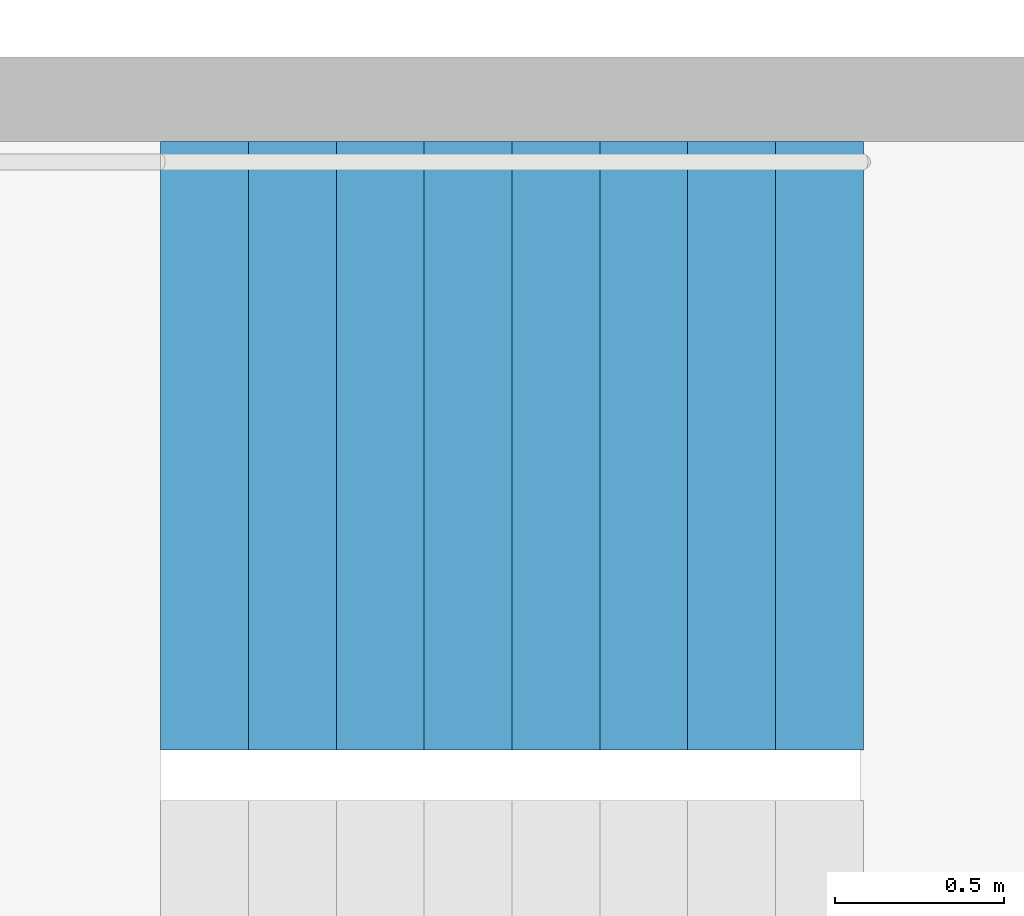
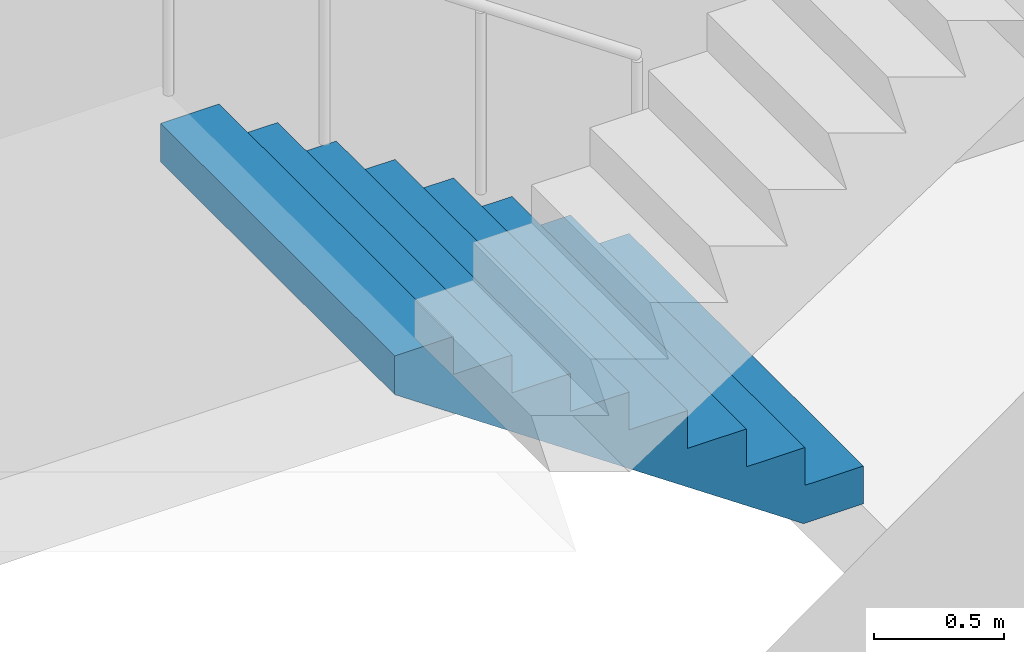
# One storey, part 22 of 29: 1 stair flight, 1 element without a shape of its own.
"""IFC4 building model written with IfcOpenShell, lengths in metres."""

import ifcopenshell
import ifcopenshell.guid

model = None  # the IFC model being written
_history = None  # IfcOwnerHistory: only IFC2X3 demands one
_inside = {}  # id of a spatial element -> (the spatial element, [elements in it])
_under = {}  # id of a project, library or spatial element -> (it, [spatial elements below it])
_declared = {}  # id of a project -> (the project, [libraries it declares])
_typed = {}  # id of a type object -> (the type object, [elements of that type])
_made_of = {}  # id of a material, layer set ... -> (it, [elements and type objects made of it])


def new_model(schema):
    """Start an empty IFC model of exactly this schema.

    Asked for "IFC4X3", IfcOpenShell would pick the latest addendum, in which some entities
    have other attributes; the version numbers below select the first issue.
    IFC2X3 requires an IfcOwnerHistory on every rooted entity: one is made here for all.
    """
    global model, _history
    if schema == "IFC4X3":
        model = ifcopenshell.file(schema_version=(4, 3, 0, 0))
    else:
        model = ifcopenshell.file(schema=schema)
    _inside.clear()
    _under.clear()
    _declared.clear()
    _typed.clear()
    _made_of.clear()
    _history = None
    if model.schema == "IFC2X3":
        org = make("IfcOrganization", Name="unknown")
        user = make(
            "IfcPersonAndOrganization",
            ThePerson=make("IfcPerson", FamilyName="unknown"),
            TheOrganization=org,
        )
        app = make(
            "IfcApplication",
            ApplicationDeveloper=org,
            Version="unknown",
            ApplicationFullName="unknown",
            ApplicationIdentifier="unknown",
        )
        _history = make(
            "IfcOwnerHistory",
            OwningUser=user,
            OwningApplication=app,
            ChangeAction="ADDED",
            CreationDate=0,
        )
    return model


def make(cls, **values):
    """One entity of the class cls with the attributes given. An attribute that is None is left unset."""
    return model.create_entity(
        cls, **{name: value for name, value in values.items() if value is not None}
    )


def rooted(cls, **values):
    """An entity with a GlobalId (a new one), such as an element, a storey or a relation."""
    return make(cls, GlobalId=ifcopenshell.guid.new(), OwnerHistory=_history, **values)


def si_unit(unit_type, name, prefix=None):
    """IfcSIUnit, for example si_unit("LENGTHUNIT", "METRE", prefix="MILLI")."""
    return make("IfcSIUnit", UnitType=unit_type, Prefix=prefix, Name=name)


def assignment(units):
    """IfcUnitAssignment: the units of a project."""
    return None if units is None else make("IfcUnitAssignment", Units=units)


def point(xyz):
    """IfcCartesianPoint."""
    return None if xyz is None else make("IfcCartesianPoint", Coordinates=xyz)


def direction(xyz):
    """IfcDirection."""
    return None if xyz is None else make("IfcDirection", DirectionRatios=xyz)


def frame(location, z_axis=None, x_axis=None):
    """IfcAxis2Placement3D, a coordinate frame: its origin and axes. An axis left out is left unset."""
    return make(
        "IfcAxis2Placement3D",
        Location=point(location),
        Axis=direction(z_axis),
        RefDirection=direction(x_axis),
    )


def origin():
    """The frame at (0, 0, 0) with its axes left unset."""
    return frame((0.0, 0.0, 0.0))


def place(relative_to, where):
    """IfcLocalPlacement: puts the frame where relative to a parent placement (None: the world)."""
    return make(
        "IfcLocalPlacement", PlacementRelTo=relative_to, RelativePlacement=where
    )


def context(
    kind, dimensions, precision=None, world=None, true_north=None, identifier=None
):
    """IfcGeometricRepresentationContext, for example the 3D "Model" context."""
    return make(
        "IfcGeometricRepresentationContext",
        ContextIdentifier=identifier,
        ContextType=kind,
        CoordinateSpaceDimension=dimensions,
        Precision=precision,
        WorldCoordinateSystem=world,
        TrueNorth=true_north,
    )


def subcontext(parent, identifier, kind, view, scale=None):
    """IfcGeometricRepresentationSubContext, for example "Body" below "Model"."""
    return make(
        "IfcGeometricRepresentationSubContext",
        ContextIdentifier=identifier,
        ContextType=kind,
        ParentContext=parent,
        TargetScale=scale,
        TargetView=view,
    )


def project(units=None, contexts=None):
    """IfcProject with its units and contexts."""
    return rooted(
        "IfcProject",
        Name="project",
        RepresentationContexts=contexts,
        UnitsInContext=assignment(units),
    )


def spatial(cls, under=None, at=None, **own):
    """A site, building, storey or space (cls), placed at a placement, below another one or the project."""
    s = rooted(cls, ObjectPlacement=at, **own)
    if under is not None:
        _under.setdefault(under.id(), (under, []))[1].append(s)
    return s


def point_list(points):
    """IfcCartesianPointList2D or 3D."""
    cls = (
        "IfcCartesianPointList2D" if len(points[0]) == 2 else "IfcCartesianPointList3D"
    )
    return make(cls, CoordList=points)


def triangles(points, corners, closed=None, point_numbers=None):
    """IfcTriangulatedFaceSet: each triangle names its three corners, points numbered from 1."""
    return make(
        "IfcTriangulatedFaceSet",
        Coordinates=point_list(points),
        Closed=closed,
        CoordIndex=corners,
        PnIndex=point_numbers,
    )


def shape(context_of_items, identifier, shape_type, items):
    """IfcShapeRepresentation: the items that make up one representation, for example the "Body"."""
    return make(
        "IfcShapeRepresentation",
        ContextOfItems=context_of_items,
        RepresentationIdentifier=identifier,
        RepresentationType=shape_type,
        Items=items,
    )


def material(Name=None, Category=None):
    """IfcMaterial."""
    return make("IfcMaterial", Name=Name, Category=Category)


def made_of(thing, what):
    """Note that an element or type object is made of a material, layer set ...; save() writes the relation."""
    if what is not None:
        _made_of.setdefault(what.id(), (what, []))[1].append(thing)
    return thing


def type_object(cls, material=None, **own):
    """A type object (cls), such as IfcWallType, which elements share."""
    return made_of(rooted(cls, **own), material)


def element(
    cls,
    number,
    at=None,
    inside=None,
    cuts=None,
    type_object=None,
    material=None,
    context=None,
    identifier="Body",
    shape_type=None,
    held_by="IfcProductDefinitionShape",
    body=None,
    shapes=None,
    **own,
):
    """One element of the class cls, such as IfcWall. Its Tag is "e" and its number.

    at: its placement. inside: the storey or other place that contains it. cuts: it is an
    opening in that element (IfcRelVoidsElement). A single representation is given by context,
    identifier, shape_type and body (its items); several are given by shapes. held_by: the class
    of the entity that holds the representations. save() writes the other relations.
    """
    e = rooted(cls, Tag="e%d" % number, ObjectPlacement=at, **own)
    if body is not None:
        shapes = [shape(context, identifier, shape_type, body)]
    if shapes is not None:
        e.Representation = make(held_by, Representations=shapes)
    if inside is not None:
        _inside.setdefault(inside.id(), (inside, []))[1].append(e)
    if cuts is not None:
        rooted(
            "IfcRelVoidsElement", RelatingBuildingElement=cuts, RelatedOpeningElement=e
        )
    if type_object is not None:
        _typed.setdefault(type_object.id(), (type_object, []))[1].append(e)
    return made_of(e, material)


def aggregate(whole, parts):
    """IfcRelAggregates: a whole, such as a stair, and the parts it consists of."""
    return rooted("IfcRelAggregates", RelatingObject=whole, RelatedObjects=parts)


def save(model, path):
    """Write the relations noted so far, then the file.

    IfcRelAggregates (storeys below a building ...), IfcRelContainedInSpatialStructure (elements
    in a storey), IfcRelDefinesByType, IfcRelAssociatesMaterial and IfcRelDeclares: one each for
    every whole, place, type object, material and project.
    """
    for whole, parts in _under.values():
        aggregate(whole, parts)
    for where, things in _inside.values():
        rooted(
            "IfcRelContainedInSpatialStructure",
            RelatedElements=things,
            RelatingStructure=where,
        )
    for kind, things in _typed.values():
        rooted("IfcRelDefinesByType", RelatedObjects=things, RelatingType=kind)
    for what, things in _made_of.values():
        rooted("IfcRelAssociatesMaterial", RelatedObjects=things, RelatingMaterial=what)
    for by, libraries in _declared.values():
        rooted("IfcRelDeclares", RelatingContext=by, RelatedDefinitions=libraries)
    model.write(path)


model = new_model("IFC4")

# Units and contexts
model_context = context("Model", 3, precision=1e-05, world=origin(), true_north=direction((0.0, 1.0)))
body_context = subcontext(model_context, "Body", "Model", "MODEL_VIEW")
ifc_project = project(units=[si_unit("LENGTHUNIT", "METRE"), si_unit("AREAUNIT", "SQUARE_METRE"), si_unit("VOLUMEUNIT", "CUBIC_METRE"), si_unit("PLANEANGLEUNIT", "RADIAN"), si_unit("MASSUNIT", "GRAM", prefix="KILO")], contexts=[model_context])

# Site, building, storey
site_placement = place(None, origin())
site = spatial("IfcSite", under=ifc_project, at=site_placement, CompositionType="ELEMENT")
building_placement = place(site_placement, origin())
building = spatial("IfcBuilding", under=site, at=building_placement, Name="Hakoniwa Tower and Hamabe Station Hall", CompositionType="ELEMENT")
storey_placement = place(building_placement, frame((0.0, 0.0, 55.0)))
storey = spatial("IfcBuildingStorey", under=building, at=storey_placement, Name="L15", CompositionType="ELEMENT", Elevation=55.0)

# Stair, stair flight
ifc_material_1 = material(Name="Concrete C40", Category="concrete")
stair_type = type_object("IfcStairType", Name="ESCAPE STAIR 1800", PredefinedType="HALF_TURN_STAIR", material=ifc_material_1)
stair_placement = place(storey_placement, origin())
stair = element("IfcStair", 1, at=stair_placement, inside=storey, type_object=stair_type, Name="Escape stair ST-2 L15", PredefinedType="HALF_TURN_STAIR")
ifc_material_2 = material(Name="Concrete C40", Category="concrete")
stair_flight_type = type_object("IfcStairFlightType", Name="STAIR FLIGHT 1800", PredefinedType="STRAIGHT", material=ifc_material_2)
stair_flight_placement = place(storey_placement, frame((-23.39990234375, -4.64990234375, 0.0), z_axis=(0.0, 0.0, 1.0), x_axis=(-1.0, 0.0, 0.0)))
stair_flight = element("IfcStairFlight", 2, at=stair_flight_placement, type_object=stair_flight_type, Name="ST-2 flight 1", NumberOfRisers=9, NumberOfTreads=8, PredefinedType="STRAIGHT", RiserHeight=0.177777778, TreadLength=0.26, context=body_context, shape_type="Tessellation", body=[
    triangles([(0.0, 0.89990234375, 0.0), (0.260009765625, 0.89990234375, 0.0), (0.265625, 0.89990234375, 0.0), (0.52001953125, 0.89990234375, 0.174072265625), (0.780029296875, 0.89990234375, 0.351806640625), (1.0400390625, 0.89990234375, 0.529541015625), (1.300048828125, 0.89990234375, 0.707275390625), (1.56005859375, 0.89990234375, 0.885009765625), (1.820068359375, 0.89990234375, 1.062744140625), (2.080078125, 0.89990234375, 1.24072265625), (2.080078125, 0.89990234375, 1.422119140625), (1.820068359375, 0.89990234375, 1.422119140625), (1.820068359375, 0.89990234375, 1.244384765625), (1.56005859375, 0.89990234375, 1.244384765625), (1.56005859375, 0.89990234375, 1.066650390625), (1.300048828125, 0.89990234375, 1.066650390625), (1.300048828125, 0.89990234375, 0.888916015625), (1.0400390625, 0.89990234375, 0.888916015625), (1.0400390625, 0.89990234375, 0.711181640625), (0.780029296875, 0.89990234375, 0.711181640625), (0.780029296875, 0.89990234375, 0.533447265625), (0.52001953125, 0.89990234375, 0.533447265625), (0.52001953125, 0.89990234375, 0.35546875), (0.265625, 0.89990234375, 0.35546875), (0.260009765625, 0.89990234375, 0.35546875), (0.260009765625, 0.89990234375, 0.177734375), (0.0, 0.89990234375, 0.177734375), (0.0, 0.06005859375, 0.0), (0.260009765625, 0.06005859375, 0.0), (0.265625, 0.06005859375, 0.0), (0.52001953125, 0.06005859375, 0.174072265625), (0.780029296875, 0.06005859375, 0.351806640625), (1.0400390625, 0.06005859375, 0.529541015625), (1.300048828125, 0.06005859375, 0.707275390625), (1.56005859375, 0.06005859375, 0.885009765625), (1.820068359375, 0.06005859375, 1.062744140625), (2.080078125, 0.06005859375, 1.24072265625), (2.080078125, 0.06005859375, 1.422119140625), (1.820068359375, 0.06005859375, 1.422119140625), (1.820068359375, 0.06005859375, 1.244384765625), (1.56005859375, 0.06005859375, 1.244384765625), (1.56005859375, 0.06005859375, 1.066650390625), (1.300048828125, 0.06005859375, 1.066650390625), (1.300048828125, 0.06005859375, 0.888916015625), (1.0400390625, 0.06005859375, 0.888916015625), (1.0400390625, 0.06005859375, 0.711181640625), (0.780029296875, 0.06005859375, 0.711181640625), (0.780029296875, 0.06005859375, 0.533447265625), (0.52001953125, 0.06005859375, 0.533447265625), (0.52001953125, 0.06005859375, 0.35546875), (0.265625, 0.06005859375, 0.35546875), (0.260009765625, 0.06005859375, 0.35546875), (0.260009765625, 0.06005859375, 0.177734375), (0.0, 0.06005859375, 0.177734375), (0.0, 0.04296875, 0.0), (0.260009765625, 0.04296875, 0.0), (0.265625, 0.04296875, 0.0), (0.52001953125, 0.04296875, 0.174072265625), (0.780029296875, 0.04296875, 0.351806640625), (1.0400390625, 0.04296875, 0.529541015625), (1.300048828125, 0.04296875, 0.707275390625), (1.56005859375, 0.04296875, 0.885009765625), (1.820068359375, 0.04296875, 1.062744140625), (2.080078125, 0.04296875, 1.24072265625), (2.080078125, 0.04296875, 1.422119140625), (1.820068359375, 0.04296875, 1.422119140625), (1.820068359375, 0.04296875, 1.244384765625), (1.56005859375, 0.04296875, 1.244384765625), (1.56005859375, 0.04296875, 1.066650390625), (1.300048828125, 0.04296875, 1.066650390625), (1.300048828125, 0.04296875, 0.888916015625), (1.0400390625, 0.04296875, 0.888916015625), (1.0400390625, 0.04296875, 0.711181640625), (0.780029296875, 0.04296875, 0.711181640625), (0.780029296875, 0.04296875, 0.533447265625), (0.52001953125, 0.04296875, 0.533447265625), (0.52001953125, 0.04296875, 0.35546875), (0.265625, 0.04296875, 0.35546875), (0.260009765625, 0.04296875, 0.35546875), (0.260009765625, 0.04296875, 0.177734375), (0.0, 0.04296875, 0.177734375), (0.0, 0.025634765625, 0.0), (0.260009765625, 0.025634765625, 0.0), (0.265625, 0.025634765625, 0.0), (0.52001953125, 0.025634765625, 0.174072265625), (0.780029296875, 0.025634765625, 0.351806640625), (1.0400390625, 0.025634765625, 0.529541015625), (1.300048828125, 0.025634765625, 0.707275390625), (1.56005859375, 0.025634765625, 0.885009765625), (1.820068359375, 0.025634765625, 1.062744140625), (2.080078125, 0.025634765625, 1.24072265625), (2.080078125, 0.025634765625, 1.422119140625), (1.820068359375, 0.025634765625, 1.422119140625), (1.820068359375, 0.025634765625, 1.244384765625), (1.56005859375, 0.025634765625, 1.244384765625), (1.56005859375, 0.025634765625, 1.066650390625), (1.300048828125, 0.025634765625, 1.066650390625), (1.300048828125, 0.025634765625, 0.888916015625), (1.0400390625, 0.025634765625, 0.888916015625), (1.0400390625, 0.025634765625, 0.711181640625), (0.780029296875, 0.025634765625, 0.711181640625), (0.780029296875, 0.025634765625, 0.533447265625), (0.52001953125, 0.025634765625, 0.533447265625), (0.52001953125, 0.025634765625, 0.35546875), (0.265625, 0.025634765625, 0.35546875), (0.260009765625, 0.025634765625, 0.35546875), (0.260009765625, 0.025634765625, 0.177734375), (0.0, 0.025634765625, 0.177734375), (0.0, 0.008544921875, 0.0), (0.260009765625, 0.008544921875, 0.0), (0.265625, 0.008544921875, 0.0), (0.52001953125, 0.008544921875, 0.174072265625), (0.780029296875, 0.008544921875, 0.351806640625), (1.0400390625, 0.008544921875, 0.529541015625), (1.300048828125, 0.008544921875, 0.707275390625), (1.56005859375, 0.008544921875, 0.885009765625), (1.820068359375, 0.008544921875, 1.062744140625), (2.080078125, 0.008544921875, 1.24072265625), (2.080078125, 0.008544921875, 1.422119140625), (1.820068359375, 0.008544921875, 1.422119140625), (1.820068359375, 0.008544921875, 1.244384765625), (1.56005859375, 0.008544921875, 1.244384765625), (1.56005859375, 0.008544921875, 1.066650390625), (1.300048828125, 0.008544921875, 1.066650390625), (1.300048828125, 0.008544921875, 0.888916015625), (1.0400390625, 0.008544921875, 0.888916015625), (1.0400390625, 0.008544921875, 0.711181640625), (0.780029296875, 0.008544921875, 0.711181640625), (0.780029296875, 0.008544921875, 0.533447265625), (0.52001953125, 0.008544921875, 0.533447265625), (0.52001953125, 0.008544921875, 0.35546875), (0.265625, 0.008544921875, 0.35546875), (0.260009765625, 0.008544921875, 0.35546875), (0.260009765625, 0.008544921875, 0.177734375), (0.0, 0.008544921875, 0.177734375), (0.0, -0.008544921875, 0.0), (0.260009765625, -0.008544921875, 0.0), (0.265625, -0.008544921875, 0.0), (0.52001953125, -0.008544921875, 0.174072265625), (0.780029296875, -0.008544921875, 0.351806640625), (1.0400390625, -0.008544921875, 0.529541015625), (1.300048828125, -0.008544921875, 0.707275390625), (1.56005859375, -0.008544921875, 0.885009765625), (1.820068359375, -0.008544921875, 1.062744140625), (2.080078125, -0.008544921875, 1.24072265625), (2.080078125, -0.008544921875, 1.422119140625), (1.820068359375, -0.008544921875, 1.422119140625), (1.820068359375, -0.008544921875, 1.244384765625), (1.56005859375, -0.008544921875, 1.244384765625), (1.56005859375, -0.008544921875, 1.066650390625), (1.300048828125, -0.008544921875, 1.066650390625), (1.300048828125, -0.008544921875, 0.888916015625), (1.0400390625, -0.008544921875, 0.888916015625), (1.0400390625, -0.008544921875, 0.711181640625), (0.780029296875, -0.008544921875, 0.711181640625), (0.780029296875, -0.008544921875, 0.533447265625), (0.52001953125, -0.008544921875, 0.533447265625), (0.52001953125, -0.008544921875, 0.35546875), (0.265625, -0.008544921875, 0.35546875), (0.260009765625, -0.008544921875, 0.35546875), (0.260009765625, -0.008544921875, 0.177734375), (0.0, -0.008544921875, 0.177734375), (0.0, -0.025634765625, 0.0), (0.260009765625, -0.025634765625, 0.0), (0.265625, -0.025634765625, 0.0), (0.52001953125, -0.025634765625, 0.174072265625), (0.780029296875, -0.025634765625, 0.351806640625), (1.0400390625, -0.025634765625, 0.529541015625), (1.300048828125, -0.025634765625, 0.707275390625), (1.56005859375, -0.025634765625, 0.885009765625), (1.820068359375, -0.025634765625, 1.062744140625), (2.080078125, -0.025634765625, 1.24072265625), (2.080078125, -0.025634765625, 1.422119140625), (1.820068359375, -0.025634765625, 1.422119140625), (1.820068359375, -0.025634765625, 1.244384765625), (1.56005859375, -0.025634765625, 1.244384765625), (1.56005859375, -0.025634765625, 1.066650390625), (1.300048828125, -0.025634765625, 1.066650390625), (1.300048828125, -0.025634765625, 0.888916015625), (1.0400390625, -0.025634765625, 0.888916015625), (1.0400390625, -0.025634765625, 0.711181640625), (0.780029296875, -0.025634765625, 0.711181640625), (0.780029296875, -0.025634765625, 0.533447265625), (0.52001953125, -0.025634765625, 0.533447265625), (0.52001953125, -0.025634765625, 0.35546875), (0.265625, -0.025634765625, 0.35546875), (0.260009765625, -0.025634765625, 0.35546875), (0.260009765625, -0.025634765625, 0.177734375), (0.0, -0.025634765625, 0.177734375), (0.0, -0.04296875, 0.0), (0.260009765625, -0.04296875, 0.0), (0.265625, -0.04296875, 0.0), (0.52001953125, -0.04296875, 0.174072265625), (0.780029296875, -0.04296875, 0.351806640625), (1.0400390625, -0.04296875, 0.529541015625), (1.300048828125, -0.04296875, 0.707275390625), (1.56005859375, -0.04296875, 0.885009765625), (1.820068359375, -0.04296875, 1.062744140625), (2.080078125, -0.04296875, 1.24072265625), (2.080078125, -0.04296875, 1.422119140625), (1.820068359375, -0.04296875, 1.422119140625), (1.820068359375, -0.04296875, 1.244384765625), (1.56005859375, -0.04296875, 1.244384765625), (1.56005859375, -0.04296875, 1.066650390625), (1.300048828125, -0.04296875, 1.066650390625), (1.300048828125, -0.04296875, 0.888916015625), (1.0400390625, -0.04296875, 0.888916015625), (1.0400390625, -0.04296875, 0.711181640625), (0.780029296875, -0.04296875, 0.711181640625), (0.780029296875, -0.04296875, 0.533447265625), (0.52001953125, -0.04296875, 0.533447265625), (0.52001953125, -0.04296875, 0.35546875), (0.265625, -0.04296875, 0.35546875), (0.260009765625, -0.04296875, 0.35546875), (0.260009765625, -0.04296875, 0.177734375), (0.0, -0.04296875, 0.177734375), (0.0, -0.06005859375, 0.0), (0.260009765625, -0.06005859375, 0.0), (0.265625, -0.06005859375, 0.0), (0.52001953125, -0.06005859375, 0.174072265625), (0.780029296875, -0.06005859375, 0.351806640625), (1.0400390625, -0.06005859375, 0.529541015625), (1.300048828125, -0.06005859375, 0.707275390625), (1.56005859375, -0.06005859375, 0.885009765625), (1.820068359375, -0.06005859375, 1.062744140625), (2.080078125, -0.06005859375, 1.24072265625), (2.080078125, -0.06005859375, 1.422119140625), (1.820068359375, -0.06005859375, 1.422119140625), (1.820068359375, -0.06005859375, 1.244384765625), (1.56005859375, -0.06005859375, 1.244384765625), (1.56005859375, -0.06005859375, 1.066650390625), (1.300048828125, -0.06005859375, 1.066650390625), (1.300048828125, -0.06005859375, 0.888916015625), (1.0400390625, -0.06005859375, 0.888916015625), (1.0400390625, -0.06005859375, 0.711181640625), (0.780029296875, -0.06005859375, 0.711181640625), (0.780029296875, -0.06005859375, 0.533447265625), (0.52001953125, -0.06005859375, 0.533447265625), (0.52001953125, -0.06005859375, 0.35546875), (0.265625, -0.06005859375, 0.35546875), (0.260009765625, -0.06005859375, 0.35546875), (0.260009765625, -0.06005859375, 0.177734375), (0.0, -0.06005859375, 0.177734375), (0.0, -0.89990234375, 0.0), (0.260009765625, -0.89990234375, 0.0), (0.265625, -0.89990234375, 0.0), (0.52001953125, -0.89990234375, 0.174072265625), (0.780029296875, -0.89990234375, 0.351806640625), (1.0400390625, -0.89990234375, 0.529541015625), (1.300048828125, -0.89990234375, 0.707275390625), (1.56005859375, -0.89990234375, 0.885009765625), (1.820068359375, -0.89990234375, 1.062744140625), (2.080078125, -0.89990234375, 1.24072265625), (2.080078125, -0.89990234375, 1.422119140625), (1.820068359375, -0.89990234375, 1.422119140625), (1.820068359375, -0.89990234375, 1.244384765625), (1.56005859375, -0.89990234375, 1.244384765625), (1.56005859375, -0.89990234375, 1.066650390625), (1.300048828125, -0.89990234375, 1.066650390625), (1.300048828125, -0.89990234375, 0.888916015625), (1.0400390625, -0.89990234375, 0.888916015625), (1.0400390625, -0.89990234375, 0.711181640625), (0.780029296875, -0.89990234375, 0.711181640625), (0.780029296875, -0.89990234375, 0.533447265625), (0.52001953125, -0.89990234375, 0.533447265625), (0.52001953125, -0.89990234375, 0.35546875), (0.265625, -0.89990234375, 0.35546875), (0.260009765625, -0.89990234375, 0.35546875), (0.260009765625, -0.89990234375, 0.177734375), (0.0, -0.89990234375, 0.177734375)], [[2, 27, 26], [245, 269, 270], [2, 1, 27], [245, 270, 244], [3, 25, 24], [246, 267, 268], [3, 26, 25], [246, 268, 269], [3, 2, 26], [246, 269, 245], [4, 24, 23], [247, 266, 267], [4, 3, 24], [247, 267, 246], [5, 22, 21], [248, 264, 265], [5, 23, 22], [248, 265, 266], [5, 4, 23], [248, 266, 247], [6, 20, 19], [249, 262, 263], [6, 21, 20], [249, 263, 264], [6, 5, 21], [249, 264, 248], [7, 18, 17], [250, 260, 261], [7, 19, 18], [250, 261, 262], [7, 6, 19], [250, 262, 249], [8, 16, 15], [251, 258, 259], [8, 17, 16], [251, 259, 260], [8, 7, 17], [251, 260, 250], [9, 14, 13], [252, 256, 257], [9, 15, 14], [252, 257, 258], [9, 8, 15], [252, 258, 251], [10, 12, 11], [253, 254, 255], [10, 13, 12], [253, 255, 256], [10, 9, 13], [253, 256, 252], [1, 2, 29], [1, 29, 28], [28, 29, 56], [28, 56, 55], [55, 56, 83], [55, 83, 82], [82, 83, 110], [82, 110, 109], [109, 110, 137], [109, 137, 136], [136, 137, 164], [136, 164, 163], [163, 164, 191], [163, 191, 190], [190, 191, 218], [190, 218, 217], [217, 218, 245], [217, 245, 244], [2, 3, 30], [2, 30, 29], [29, 30, 57], [29, 57, 56], [56, 57, 84], [56, 84, 83], [83, 84, 111], [83, 111, 110], [110, 111, 138], [110, 138, 137], [137, 138, 165], [137, 165, 164], [164, 165, 192], [164, 192, 191], [191, 192, 219], [191, 219, 218], [218, 219, 246], [218, 246, 245], [3, 4, 31], [3, 31, 30], [30, 31, 58], [30, 58, 57], [57, 58, 85], [57, 85, 84], [84, 85, 112], [84, 112, 111], [111, 112, 139], [111, 139, 138], [138, 139, 166], [138, 166, 165], [165, 166, 193], [165, 193, 192], [192, 193, 220], [192, 220, 219], [219, 220, 247], [219, 247, 246], [4, 5, 32], [4, 32, 31], [31, 32, 59], [31, 59, 58], [58, 59, 86], [58, 86, 85], [85, 86, 113], [85, 113, 112], [112, 113, 140], [112, 140, 139], [139, 140, 167], [139, 167, 166], [166, 167, 194], [166, 194, 193], [193, 194, 221], [193, 221, 220], [220, 221, 248], [220, 248, 247], [5, 6, 33], [5, 33, 32], [32, 33, 60], [32, 60, 59], [59, 60, 87], [59, 87, 86], [86, 87, 114], [86, 114, 113], [113, 114, 141], [113, 141, 140], [140, 141, 168], [140, 168, 167], [167, 168, 195], [167, 195, 194], [194, 195, 222], [194, 222, 221], [221, 222, 249], [221, 249, 248], [6, 7, 34], [6, 34, 33], [33, 34, 61], [33, 61, 60], [60, 61, 88], [60, 88, 87], [87, 88, 115], [87, 115, 114], [114, 115, 142], [114, 142, 141], [141, 142, 169], [141, 169, 168], [168, 169, 196], [168, 196, 195], [195, 196, 223], [195, 223, 222], [222, 223, 250], [222, 250, 249], [7, 8, 35], [7, 35, 34], [34, 35, 62], [34, 62, 61], [61, 62, 89], [61, 89, 88], [88, 89, 116], [88, 116, 115], [115, 116, 143], [115, 143, 142], [142, 143, 170], [142, 170, 169], [169, 170, 197], [169, 197, 196], [196, 197, 224], [196, 224, 223], [223, 224, 251], [223, 251, 250], [8, 9, 36], [8, 36, 35], [35, 36, 63], [35, 63, 62], [62, 63, 90], [62, 90, 89], [89, 90, 117], [89, 117, 116], [116, 117, 144], [116, 144, 143], [143, 144, 171], [143, 171, 170], [170, 171, 198], [170, 198, 197], [197, 198, 225], [197, 225, 224], [224, 225, 252], [224, 252, 251], [9, 10, 37], [9, 37, 36], [36, 37, 64], [36, 64, 63], [63, 64, 91], [63, 91, 90], [90, 91, 118], [90, 118, 117], [117, 118, 145], [117, 145, 144], [144, 145, 172], [144, 172, 171], [171, 172, 199], [171, 199, 198], [198, 199, 226], [198, 226, 225], [225, 226, 253], [225, 253, 252], [10, 11, 38], [10, 38, 37], [37, 38, 65], [37, 65, 64], [64, 65, 92], [64, 92, 91], [91, 92, 119], [91, 119, 118], [118, 119, 146], [118, 146, 145], [145, 146, 173], [145, 173, 172], [172, 173, 200], [172, 200, 199], [199, 200, 227], [199, 227, 226], [226, 227, 254], [226, 254, 253], [11, 12, 39], [11, 39, 38], [38, 39, 66], [38, 66, 65], [65, 66, 93], [65, 93, 92], [92, 93, 120], [92, 120, 119], [119, 120, 147], [119, 147, 146], [146, 147, 174], [146, 174, 173], [173, 174, 201], [173, 201, 200], [200, 201, 228], [200, 228, 227], [227, 228, 255], [227, 255, 254], [12, 13, 40], [12, 40, 39], [39, 40, 67], [39, 67, 66], [66, 67, 94], [66, 94, 93], [93, 94, 121], [93, 121, 120], [120, 121, 148], [120, 148, 147], [147, 148, 175], [147, 175, 174], [174, 175, 202], [174, 202, 201], [201, 202, 229], [201, 229, 228], [228, 229, 256], [228, 256, 255], [13, 14, 41], [13, 41, 40], [40, 41, 68], [40, 68, 67], [67, 68, 95], [67, 95, 94], [94, 95, 122], [94, 122, 121], [121, 122, 149], [121, 149, 148], [148, 149, 176], [148, 176, 175], [175, 176, 203], [175, 203, 202], [202, 203, 230], [202, 230, 229], [229, 230, 257], [229, 257, 256], [14, 15, 42], [14, 42, 41], [41, 42, 69], [41, 69, 68], [68, 69, 96], [68, 96, 95], [95, 96, 123], [95, 123, 122], [122, 123, 150], [122, 150, 149], [149, 150, 177], [149, 177, 176], [176, 177, 204], [176, 204, 203], [203, 204, 231], [203, 231, 230], [230, 231, 258], [230, 258, 257], [15, 16, 43], [15, 43, 42], [42, 43, 70], [42, 70, 69], [69, 70, 97], [69, 97, 96], [96, 97, 124], [96, 124, 123], [123, 124, 151], [123, 151, 150], [150, 151, 178], [150, 178, 177], [177, 178, 205], [177, 205, 204], [204, 205, 232], [204, 232, 231], [231, 232, 259], [231, 259, 258], [16, 17, 44], [16, 44, 43], [43, 44, 71], [43, 71, 70], [70, 71, 98], [70, 98, 97], [97, 98, 125], [97, 125, 124], [124, 125, 152], [124, 152, 151], [151, 152, 179], [151, 179, 178], [178, 179, 206], [178, 206, 205], [205, 206, 233], [205, 233, 232], [232, 233, 260], [232, 260, 259], [17, 18, 45], [17, 45, 44], [44, 45, 72], [44, 72, 71], [71, 72, 99], [71, 99, 98], [98, 99, 126], [98, 126, 125], [125, 126, 153], [125, 153, 152], [152, 153, 180], [152, 180, 179], [179, 180, 207], [179, 207, 206], [206, 207, 234], [206, 234, 233], [233, 234, 261], [233, 261, 260], [18, 19, 46], [18, 46, 45], [45, 46, 73], [45, 73, 72], [72, 73, 100], [72, 100, 99], [99, 100, 127], [99, 127, 126], [126, 127, 154], [126, 154, 153], [153, 154, 181], [153, 181, 180], [180, 181, 208], [180, 208, 207], [207, 208, 235], [207, 235, 234], [234, 235, 262], [234, 262, 261], [19, 20, 47], [19, 47, 46], [46, 47, 74], [46, 74, 73], [73, 74, 101], [73, 101, 100], [100, 101, 128], [100, 128, 127], [127, 128, 155], [127, 155, 154], [154, 155, 182], [154, 182, 181], [181, 182, 209], [181, 209, 208], [208, 209, 236], [208, 236, 235], [235, 236, 263], [235, 263, 262], [20, 21, 48], [20, 48, 47], [47, 48, 75], [47, 75, 74], [74, 75, 102], [74, 102, 101], [101, 102, 129], [101, 129, 128], [128, 129, 156], [128, 156, 155], [155, 156, 183], [155, 183, 182], [182, 183, 210], [182, 210, 209], [209, 210, 237], [209, 237, 236], [236, 237, 264], [236, 264, 263], [21, 22, 49], [21, 49, 48], [48, 49, 76], [48, 76, 75], [75, 76, 103], [75, 103, 102], [102, 103, 130], [102, 130, 129], [129, 130, 157], [129, 157, 156], [156, 157, 184], [156, 184, 183], [183, 184, 211], [183, 211, 210], [210, 211, 238], [210, 238, 237], [237, 238, 265], [237, 265, 264], [22, 23, 50], [22, 50, 49], [49, 50, 77], [49, 77, 76], [76, 77, 104], [76, 104, 103], [103, 104, 131], [103, 131, 130], [130, 131, 158], [130, 158, 157], [157, 158, 185], [157, 185, 184], [184, 185, 212], [184, 212, 211], [211, 212, 239], [211, 239, 238], [238, 239, 266], [238, 266, 265], [23, 24, 51], [23, 51, 50], [50, 51, 78], [50, 78, 77], [77, 78, 105], [77, 105, 104], [104, 105, 132], [104, 132, 131], [131, 132, 159], [131, 159, 158], [158, 159, 186], [158, 186, 185], [185, 186, 213], [185, 213, 212], [212, 213, 240], [212, 240, 239], [239, 240, 267], [239, 267, 266], [24, 25, 52], [24, 52, 51], [51, 52, 79], [51, 79, 78], [78, 79, 106], [78, 106, 105], [105, 106, 133], [105, 133, 132], [132, 133, 160], [132, 160, 159], [159, 160, 187], [159, 187, 186], [186, 187, 214], [186, 214, 213], [213, 214, 241], [213, 241, 240], [240, 241, 268], [240, 268, 267], [25, 26, 53], [25, 53, 52], [52, 53, 80], [52, 80, 79], [79, 80, 107], [79, 107, 106], [106, 107, 134], [106, 134, 133], [133, 134, 161], [133, 161, 160], [160, 161, 188], [160, 188, 187], [187, 188, 215], [187, 215, 214], [214, 215, 242], [214, 242, 241], [241, 242, 269], [241, 269, 268], [26, 27, 54], [26, 54, 53], [53, 54, 81], [53, 81, 80], [80, 81, 108], [80, 108, 107], [107, 108, 135], [107, 135, 134], [134, 135, 162], [134, 162, 161], [161, 162, 189], [161, 189, 188], [188, 189, 216], [188, 216, 215], [215, 216, 243], [215, 243, 242], [242, 243, 270], [242, 270, 269], [27, 1, 28], [27, 28, 54], [54, 28, 55], [54, 55, 81], [81, 55, 82], [81, 82, 108], [108, 82, 109], [108, 109, 135], [135, 109, 136], [135, 136, 162], [162, 136, 163], [162, 163, 189], [189, 163, 190], [189, 190, 216], [216, 190, 217], [216, 217, 243], [243, 217, 244], [243, 244, 270]], closed=True),
])
aggregate(stair, [stair_flight])

save(model, "model.ifc")
